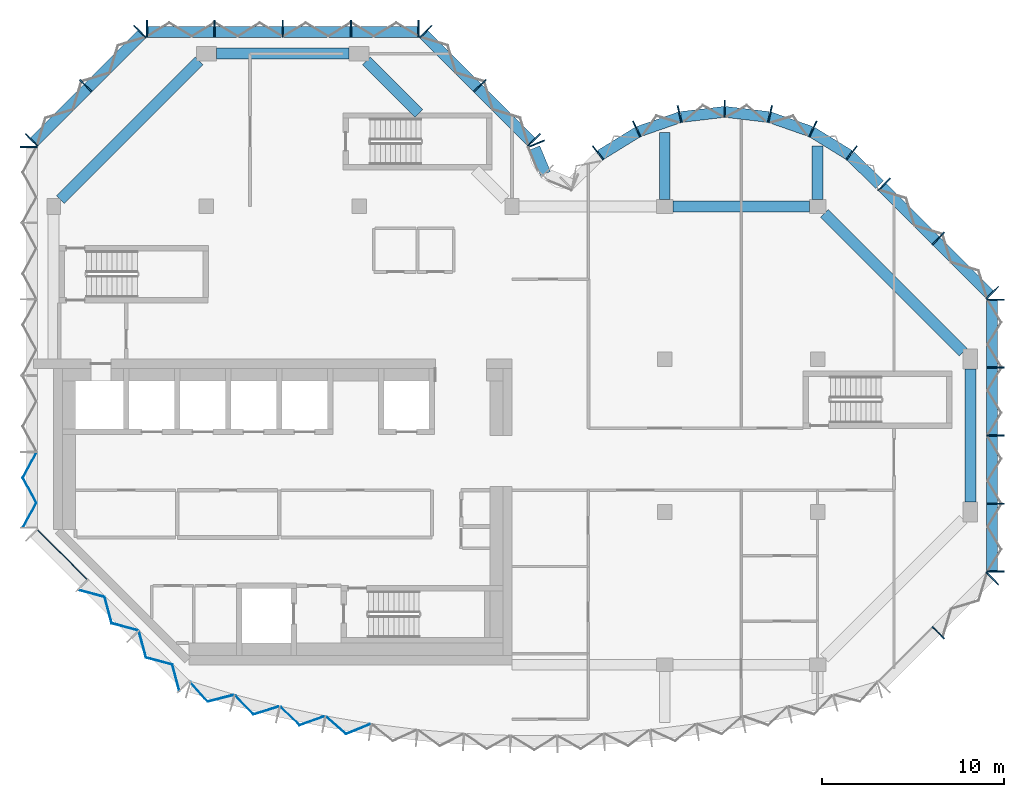
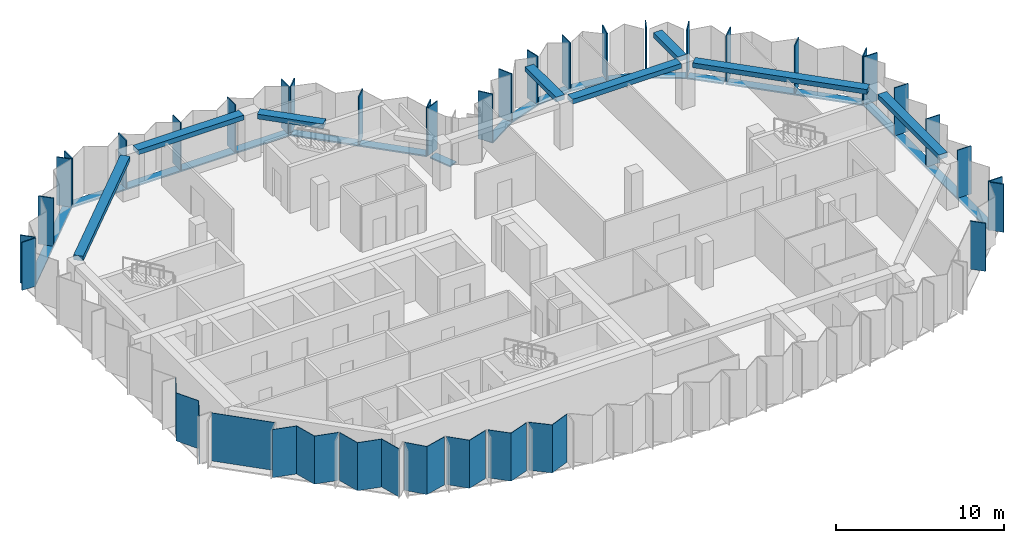
# One storey, part 2 of 9: 43 members, 8 beams, 8 plates, 11 elements without a shape of their own.
"""IFC4 building model written with IfcOpenShell, lengths in metres."""

from ifc_helpers import new_model, si_unit, direction, frame, origin, origin_2d, place, context, subcontext, project, spatial, polyline, rectangle, outline, extrude, material, layer, layer_set, material_profile, profile_set, type_object, element, aggregate, save


model = new_model("IFC4")

# Units and contexts
model_context = context("Model", 3, precision=1e-05, world=origin(), true_north=direction((0.0, 1.0)))
body_context = subcontext(model_context, "Body", "Model", "MODEL_VIEW")
ifc_project = project(units=[si_unit("LENGTHUNIT", "METRE"), si_unit("AREAUNIT", "SQUARE_METRE"), si_unit("VOLUMEUNIT", "CUBIC_METRE"), si_unit("PLANEANGLEUNIT", "RADIAN"), si_unit("MASSUNIT", "GRAM", prefix="KILO")], contexts=[model_context])

# Site, building, storey
site_placement = place(None, origin())
site = spatial("IfcSite", under=ifc_project, at=site_placement, CompositionType="ELEMENT")
building_placement = place(site_placement, origin())
building = spatial("IfcBuilding", under=site, at=building_placement, Name="Brevane Broadcast Tower", CompositionType="ELEMENT")
storey_placement = place(building_placement, frame((0.0, 0.0, 226.5)))
storey = spatial("IfcBuildingStorey", under=building, at=storey_placement, Name="L57", CompositionType="ELEMENT", Elevation=226.5)

# Curtain wall, members
ifc_material_1 = material(Name="Aluminium 6063-T6 bronze anodised", Category="aluminium")
curtain_wall_type = type_object("IfcCurtainWallType", Name="CW-1 curtain wall", PredefinedType="NOTDEFINED", material=ifc_material_1)
curtain_wall_1_placement = place(storey_placement, origin())
curtain_wall_1 = element("IfcCurtainWall", 1, at=curtain_wall_1_placement, inside=storey, type_object=curtain_wall_type, Name="CW-1 typical tilted unit L57 south-east chamfer", PredefinedType="NOTDEFINED")
ifc_material_profile_1 = material_profile(ifc_material_1, rectangle(XDim=0.949951171875, YDim=0.070068359375, at=origin_2d()), Name="RECT 70x950")
ifc_profile_set_1 = profile_set([ifc_material_profile_1], Name="Aluminium 6063-T6 bronze anodised")
member_type_1 = type_object("IfcMemberType", Name="CW-1 mullion 70x950", PredefinedType="MULLION", material=ifc_profile_set_1)
member_1_placement = place(storey_placement, frame((48.635986328125, 1.76416015625, -0.14990234375), z_axis=(0.0, 0.0, 1.0), x_axis=(-0.707106781187, 0.707106781187, 0.0)))
member_1 = element("IfcMember", 2, at=member_1_placement, type_object=member_type_1, Name="CW-1 mullion", PredefinedType="MULLION", context=body_context, shape_type="SweptSolid", body=[
    extrude(rectangle(XDim=0.949951171875, YDim=0.070068359375, at=origin_2d()), origin(), (0.0, 0.0, 1.0), 3.5),
])
member_2_placement = place(storey_placement, frame((51.611083984375, 4.7392578125, -0.14990234375), z_axis=(0.0, 0.0, 1.0), x_axis=(-0.707106781187, 0.707106781187, 0.0)))
member_2 = element("IfcMember", 3, at=member_2_placement, type_object=member_type_1, Name="CW-1 mullion", PredefinedType="MULLION", context=body_context, shape_type="SweptSolid", body=[
    extrude(rectangle(XDim=0.949951171875, YDim=0.070068359375, at=origin_2d()), origin(), (0.0, 0.0, 1.0), 3.5),
])
aggregate(curtain_wall_1, [member_1, member_2])

curtain_wall_2_placement = place(storey_placement, origin())
curtain_wall_2 = element("IfcCurtainWall", 4, at=curtain_wall_2_placement, inside=storey, type_object=curtain_wall_type, Name="CW-1 typical tilted unit L57 east end", PredefinedType="NOTDEFINED")
member_3_placement = place(storey_placement, frame((51.77490234375, 5.135009765625, -0.14990234375), z_axis=(0.0, 0.0, 1.0), x_axis=(-1.0, 0.0, 0.0)))
member_3 = element("IfcMember", 5, at=member_3_placement, type_object=member_type_1, Name="CW-1 mullion", PredefinedType="MULLION", context=body_context, shape_type="SweptSolid", body=[
    extrude(rectangle(XDim=0.949951171875, YDim=0.070068359375, at=origin_2d()), origin(), (0.0, 0.0, 1.0), 3.5),
])
member_4_placement = place(storey_placement, frame((51.77490234375, 8.85009765625, -0.14990234375), z_axis=(0.0, 0.0, 1.0), x_axis=(-1.0, 0.0, 0.0)))
member_4 = element("IfcMember", 6, at=member_4_placement, type_object=member_type_1, Name="CW-1 mullion", PredefinedType="MULLION", context=body_context, shape_type="SweptSolid", body=[
    extrude(rectangle(XDim=0.949951171875, YDim=0.070068359375, at=origin_2d()), origin(), (0.0, 0.0, 1.0), 3.5),
])
member_5_placement = place(storey_placement, frame((51.77490234375, 12.60009765625, -0.14990234375), z_axis=(0.0, 0.0, 1.0), x_axis=(-1.0, 0.0, 0.0)))
member_5 = element("IfcMember", 7, at=member_5_placement, type_object=member_type_1, Name="CW-1 mullion", PredefinedType="MULLION", context=body_context, shape_type="SweptSolid", body=[
    extrude(rectangle(XDim=0.949951171875, YDim=0.070068359375, at=origin_2d()), origin(), (0.0, 0.0, 1.0), 3.5),
])
member_6_placement = place(storey_placement, frame((51.77490234375, 16.35009765625, -0.14990234375), z_axis=(0.0, 0.0, 1.0), x_axis=(-1.0, 0.0, 0.0)))
member_6 = element("IfcMember", 8, at=member_6_placement, type_object=member_type_1, Name="CW-1 mullion", PredefinedType="MULLION", context=body_context, shape_type="SweptSolid", body=[
    extrude(rectangle(XDim=0.949951171875, YDim=0.070068359375, at=origin_2d()), origin(), (0.0, 0.0, 1.0), 3.5),
])
member_7_placement = place(storey_placement, frame((51.77490234375, 20.06494140625, -0.14990234375), z_axis=(0.0, 0.0, 1.0), x_axis=(-1.0, 0.0, 0.0)))
member_7 = element("IfcMember", 9, at=member_7_placement, type_object=member_type_1, Name="CW-1 mullion", PredefinedType="MULLION", context=body_context, shape_type="SweptSolid", body=[
    extrude(rectangle(XDim=0.949951171875, YDim=0.070068359375, at=origin_2d()), origin(), (0.0, 0.0, 1.0), 3.5),
])

curtain_wall_3_placement = place(storey_placement, origin())
curtain_wall_3 = element("IfcCurtainWall", 10, at=curtain_wall_3_placement, inside=storey, type_object=curtain_wall_type, Name="CW-1 typical tilted unit L57 north-east chamfer", PredefinedType="NOTDEFINED")
member_8_placement = place(storey_placement, frame((51.611083984375, 20.460693359375, -0.14990234375), z_axis=(0.0, 0.0, 1.0), x_axis=(-0.707106781187, -0.707106781187, 0.0)))
member_8 = element("IfcMember", 11, at=member_8_placement, type_object=member_type_1, Name="CW-1 mullion", PredefinedType="MULLION", context=body_context, shape_type="SweptSolid", body=[
    extrude(rectangle(XDim=0.949951171875, YDim=0.070068359375, at=origin_2d()), origin(), (0.0, 0.0, 1.0), 3.5),
])
member_9_placement = place(storey_placement, frame((48.635986328125, 23.435791015625, -0.14990234375), z_axis=(0.0, 0.0, 1.0), x_axis=(-0.707106781187, -0.707106781187, 0.0)))
member_9 = element("IfcMember", 12, at=member_9_placement, type_object=member_type_1, Name="CW-1 mullion", PredefinedType="MULLION", context=body_context, shape_type="SweptSolid", body=[
    extrude(rectangle(XDim=0.949951171875, YDim=0.070068359375, at=origin_2d()), origin(), (0.0, 0.0, 1.0), 3.5),
])
member_10_placement = place(storey_placement, frame((45.66064453125, 26.4111328125, -0.14990234375), z_axis=(0.0, 0.0, 1.0), x_axis=(-0.707106781187, -0.707106781187, 0.0)))
member_10 = element("IfcMember", 13, at=member_10_placement, type_object=member_type_1, Name="CW-1 mullion", PredefinedType="MULLION", context=body_context, shape_type="SweptSolid", body=[
    extrude(rectangle(XDim=0.949951171875, YDim=0.070068359375, at=origin_2d()), origin(), (0.0, 0.0, 1.0), 3.5),
])

curtain_wall_4_placement = place(storey_placement, origin())
curtain_wall_4 = element("IfcCurtainWall", 14, at=curtain_wall_4_placement, inside=storey, type_object=curtain_wall_type, Name="CW-1 typical tilted unit L57 east bow", PredefinedType="NOTDEFINED")
member_11_placement = place(storey_placement, frame((43.8720703125, 28.1455078125, -0.14990234375), z_axis=(0.0, 0.0, 1.0), x_axis=(-0.614769698862, -0.788706673841, 0.0)))
member_11 = element("IfcMember", 15, at=member_11_placement, type_object=member_type_1, Name="CW-1 mullion", PredefinedType="MULLION", context=body_context, shape_type="SweptSolid", body=[
    extrude(rectangle(XDim=0.949951171875, YDim=0.070068359375, at=origin_2d()), origin(), (0.0, 0.0, 1.0), 3.5),
])
member_12_placement = place(storey_placement, frame((41.746826171875, 29.4580078125, -0.14990234375), z_axis=(0.0, 0.0, 1.0), x_axis=(-0.429933580394, -0.902860518823, 0.0)))
member_12 = element("IfcMember", 16, at=member_12_placement, type_object=member_type_1, Name="CW-1 mullion", PredefinedType="MULLION", context=body_context, shape_type="SweptSolid", body=[
    extrude(rectangle(XDim=0.949951171875, YDim=0.070068359375, at=origin_2d()), origin(), (0.0, 0.0, 1.0), 3.5),
])
member_13_placement = place(storey_placement, frame((39.38818359375, 30.28076171875, -0.14990234375), z_axis=(0.0, 0.0, 1.0), x_axis=(-0.224806535479, -0.974403418306, 0.0)))
member_13 = element("IfcMember", 17, at=member_13_placement, type_object=member_type_1, Name="CW-1 mullion", PredefinedType="MULLION", context=body_context, shape_type="SweptSolid", body=[
    extrude(rectangle(XDim=0.949951171875, YDim=0.070068359375, at=origin_2d()), origin(), (0.0, 0.0, 1.0), 3.5),
])
member_14_placement = place(storey_placement, frame((36.89990234375, 30.574951171875, -0.14990234375), z_axis=(0.0, 0.0, 1.0), x_axis=(0.0, -1.0, 0.0)))
member_14 = element("IfcMember", 18, at=member_14_placement, type_object=member_type_1, Name="CW-1 mullion", PredefinedType="MULLION", context=body_context, shape_type="SweptSolid", body=[
    extrude(rectangle(XDim=0.949951171875, YDim=0.070068359375, at=origin_2d()), origin(), (0.0, 0.0, 1.0), 3.5),
])
member_15_placement = place(storey_placement, frame((34.411865234375, 30.28076171875, -0.14990234375), z_axis=(0.0, 0.0, 1.0), x_axis=(0.224806535479, -0.974403418306, 0.0)))
member_15 = element("IfcMember", 19, at=member_15_placement, type_object=member_type_1, Name="CW-1 mullion", PredefinedType="MULLION", context=body_context, shape_type="SweptSolid", body=[
    extrude(rectangle(XDim=0.949951171875, YDim=0.070068359375, at=origin_2d()), origin(), (0.0, 0.0, 1.0), 3.5),
])
member_16_placement = place(storey_placement, frame((32.05322265625, 29.4580078125, -0.14990234375), z_axis=(0.0, 0.0, 1.0), x_axis=(0.429933580394, -0.902860518823, 0.0)))
member_16 = element("IfcMember", 20, at=member_16_placement, type_object=member_type_1, Name="CW-1 mullion", PredefinedType="MULLION", context=body_context, shape_type="SweptSolid", body=[
    extrude(rectangle(XDim=0.949951171875, YDim=0.070068359375, at=origin_2d()), origin(), (0.0, 0.0, 1.0), 3.5),
])
member_17_placement = place(storey_placement, frame((29.927978515625, 28.1455078125, -0.14990234375), z_axis=(0.0, 0.0, 1.0), x_axis=(0.614769698862, -0.788706673841, 0.0)))
member_17 = element("IfcMember", 21, at=member_17_placement, type_object=member_type_1, Name="CW-1 mullion", PredefinedType="MULLION", context=body_context, shape_type="SweptSolid", body=[
    extrude(rectangle(XDim=0.949951171875, YDim=0.070068359375, at=origin_2d()), origin(), (0.0, 0.0, 1.0), 3.5),
])

# Curtain wall, member
curtain_wall_5_placement = place(storey_placement, origin())
curtain_wall_5 = element("IfcCurtainWall", 22, at=curtain_wall_5_placement, inside=storey, type_object=curtain_wall_type, Name="CW-1 typical tilted unit L57 inner corner", PredefinedType="NOTDEFINED")
member_18_placement = place(storey_placement, frame((26.55224609375, 28.6494140625, -0.14990234375), z_axis=(0.0, 0.0, 1.0), x_axis=(-0.923879532511, -0.382683432365, 0.0)))
member_18 = element("IfcMember", 23, at=member_18_placement, type_object=member_type_1, Name="CW-1 mullion", PredefinedType="MULLION", context=body_context, shape_type="SweptSolid", body=[
    extrude(rectangle(XDim=0.949951171875, YDim=0.070068359375, at=origin_2d()), origin(), (0.0, 0.0, 1.0), 3.5),
])

# Curtain wall, members
curtain_wall_6_placement = place(storey_placement, origin())
curtain_wall_6 = element("IfcCurtainWall", 24, at=curtain_wall_6_placement, inside=storey, type_object=curtain_wall_type, Name="CW-1 typical tilted unit L57 north arm north-east chamfer", PredefinedType="NOTDEFINED")
member_19_placement = place(storey_placement, frame((26.4111328125, 28.860595703125, -0.14990234375), z_axis=(0.0, 0.0, 1.0), x_axis=(-0.707106781187, -0.707106781187, 0.0)))
member_19 = element("IfcMember", 25, at=member_19_placement, type_object=member_type_1, Name="CW-1 mullion", PredefinedType="MULLION", context=body_context, shape_type="SweptSolid", body=[
    extrude(rectangle(XDim=0.949951171875, YDim=0.070068359375, at=origin_2d()), origin(), (0.0, 0.0, 1.0), 3.5),
])
member_20_placement = place(storey_placement, frame((23.435791015625, 31.8359375, -0.14990234375), z_axis=(0.0, 0.0, 1.0), x_axis=(-0.707106781187, -0.707106781187, 0.0)))
member_20 = element("IfcMember", 26, at=member_20_placement, type_object=member_type_1, Name="CW-1 mullion", PredefinedType="MULLION", context=body_context, shape_type="SweptSolid", body=[
    extrude(rectangle(XDim=0.949951171875, YDim=0.070068359375, at=origin_2d()), origin(), (0.0, 0.0, 1.0), 3.5),
])
member_21_placement = place(storey_placement, frame((20.460693359375, 34.81103515625, -0.14990234375), z_axis=(0.0, 0.0, 1.0), x_axis=(-0.707106781187, -0.707106781187, 0.0)))
member_21 = element("IfcMember", 27, at=member_21_placement, type_object=member_type_1, Name="CW-1 mullion", PredefinedType="MULLION", context=body_context, shape_type="SweptSolid", body=[
    extrude(rectangle(XDim=0.949951171875, YDim=0.070068359375, at=origin_2d()), origin(), (0.0, 0.0, 1.0), 3.5),
])

curtain_wall_7_placement = place(storey_placement, origin())
curtain_wall_7 = element("IfcCurtainWall", 28, at=curtain_wall_7_placement, inside=storey, type_object=curtain_wall_type, Name="CW-1 typical tilted unit L57 north end", PredefinedType="NOTDEFINED")
member_22_placement = place(storey_placement, frame((20.06494140625, 34.97509765625, -0.14990234375), z_axis=(0.0, 0.0, 1.0), x_axis=(0.0, -1.0, 0.0)))
member_22 = element("IfcMember", 29, at=member_22_placement, type_object=member_type_1, Name="CW-1 mullion", PredefinedType="MULLION", context=body_context, shape_type="SweptSolid", body=[
    extrude(rectangle(XDim=0.949951171875, YDim=0.070068359375, at=origin_2d()), origin(), (0.0, 0.0, 1.0), 3.5),
])
member_23_placement = place(storey_placement, frame((16.35009765625, 34.97509765625, -0.14990234375), z_axis=(0.0, 0.0, 1.0), x_axis=(0.0, -1.0, 0.0)))
member_23 = element("IfcMember", 30, at=member_23_placement, type_object=member_type_1, Name="CW-1 mullion", PredefinedType="MULLION", context=body_context, shape_type="SweptSolid", body=[
    extrude(rectangle(XDim=0.949951171875, YDim=0.070068359375, at=origin_2d()), origin(), (0.0, 0.0, 1.0), 3.5),
])
member_24_placement = place(storey_placement, frame((12.60009765625, 34.97509765625, -0.14990234375), z_axis=(0.0, 0.0, 1.0), x_axis=(0.0, -1.0, 0.0)))
member_24 = element("IfcMember", 31, at=member_24_placement, type_object=member_type_1, Name="CW-1 mullion", PredefinedType="MULLION", context=body_context, shape_type="SweptSolid", body=[
    extrude(rectangle(XDim=0.949951171875, YDim=0.070068359375, at=origin_2d()), origin(), (0.0, 0.0, 1.0), 3.5),
])
member_25_placement = place(storey_placement, frame((8.85009765625, 34.97509765625, -0.14990234375), z_axis=(0.0, 0.0, 1.0), x_axis=(0.0, -1.0, 0.0)))
member_25 = element("IfcMember", 32, at=member_25_placement, type_object=member_type_1, Name="CW-1 mullion", PredefinedType="MULLION", context=body_context, shape_type="SweptSolid", body=[
    extrude(rectangle(XDim=0.949951171875, YDim=0.070068359375, at=origin_2d()), origin(), (0.0, 0.0, 1.0), 3.5),
])
member_26_placement = place(storey_placement, frame((5.135009765625, 34.97509765625, -0.14990234375), z_axis=(0.0, 0.0, 1.0), x_axis=(0.0, -1.0, 0.0)))
member_26 = element("IfcMember", 33, at=member_26_placement, type_object=member_type_1, Name="CW-1 mullion", PredefinedType="MULLION", context=body_context, shape_type="SweptSolid", body=[
    extrude(rectangle(XDim=0.949951171875, YDim=0.070068359375, at=origin_2d()), origin(), (0.0, 0.0, 1.0), 3.5),
])

curtain_wall_8_placement = place(storey_placement, origin())
curtain_wall_8 = element("IfcCurtainWall", 34, at=curtain_wall_8_placement, inside=storey, type_object=curtain_wall_type, Name="CW-1 typical tilted unit L57 north-west chamfer", PredefinedType="NOTDEFINED")
member_27_placement = place(storey_placement, frame((4.7392578125, 34.81103515625, -0.14990234375), z_axis=(0.0, 0.0, 1.0), x_axis=(0.707106781187, -0.707106781187, 0.0)))
member_27 = element("IfcMember", 35, at=member_27_placement, type_object=member_type_1, Name="CW-1 mullion", PredefinedType="MULLION", context=body_context, shape_type="SweptSolid", body=[
    extrude(rectangle(XDim=0.949951171875, YDim=0.070068359375, at=origin_2d()), origin(), (0.0, 0.0, 1.0), 3.5),
])
member_28_placement = place(storey_placement, frame((1.76416015625, 31.8359375, -0.14990234375), z_axis=(0.0, 0.0, 1.0), x_axis=(0.707106781187, -0.707106781187, 0.0)))
member_28 = element("IfcMember", 36, at=member_28_placement, type_object=member_type_1, Name="CW-1 mullion", PredefinedType="MULLION", context=body_context, shape_type="SweptSolid", body=[
    extrude(rectangle(XDim=0.949951171875, YDim=0.070068359375, at=origin_2d()), origin(), (0.0, 0.0, 1.0), 3.5),
])
member_29_placement = place(storey_placement, frame((-1.211181640625, 28.860595703125, -0.14990234375), z_axis=(0.0, 0.0, 1.0), x_axis=(0.707106781187, -0.707106781187, 0.0)))
member_29 = element("IfcMember", 37, at=member_29_placement, type_object=member_type_1, Name="CW-1 mullion", PredefinedType="MULLION", context=body_context, shape_type="SweptSolid", body=[
    extrude(rectangle(XDim=0.949951171875, YDim=0.070068359375, at=origin_2d()), origin(), (0.0, 0.0, 1.0), 3.5),
])

# Curtain wall, member
curtain_wall_9_placement = place(storey_placement, origin())
curtain_wall_9 = element("IfcCurtainWall", 38, at=curtain_wall_9_placement, inside=storey, type_object=curtain_wall_type, Name="CW-1 typical tilted unit L57 west face", PredefinedType="NOTDEFINED")
member_30_placement = place(storey_placement, frame((-1.375, 28.465087890625, -0.14990234375), z_axis=(0.0, 0.0, 1.0), x_axis=(1.0, 0.0, 0.0)))
member_30 = element("IfcMember", 39, at=member_30_placement, type_object=member_type_1, Name="CW-1 mullion", PredefinedType="MULLION", context=body_context, shape_type="SweptSolid", body=[
    extrude(rectangle(XDim=0.949951171875, YDim=0.070068359375, at=origin_2d()), origin(), (0.0, 0.0, 1.0), 3.5),
])

# Member
ifc_material_profile_2 = material_profile(ifc_material_1, rectangle(XDim=0.60009765625, YDim=0.10009765625, at=origin_2d()), Name="RECT 100x600")
ifc_profile_set_2 = profile_set([ifc_material_profile_2], Name="Aluminium 6063-T6 bronze anodised")
member_type_2 = type_object("IfcMemberType", Name="CW-1 transom 100x600", PredefinedType="USERDEFINED", material=ifc_profile_set_2)
member_31_placement = place(storey_placement, frame((51.60009765625, 5.10009765625, -0.199951171875), z_axis=(0.0, 1.0, 0.0), x_axis=(-1.0, 0.0, 0.0)))
member_31 = element("IfcMember", 40, at=member_31_placement, type_object=member_type_2, Name="CW-1 transom", ObjectType="TRANSOM", PredefinedType="USERDEFINED", context=body_context, shape_type="SweptSolid", body=[
    extrude(rectangle(XDim=0.60009765625, YDim=0.10009765625, at=origin_2d()), origin(), (0.0, 0.0, 1.0), 15.0),
])

aggregate(curtain_wall_2, [member_3, member_4, member_5, member_6, member_7, member_31])

member_32_placement = place(storey_placement, frame((51.51220703125, 20.31201171875, -0.199951171875), z_axis=(-0.707106781187, 0.707106781187, 0.0), x_axis=(-0.707106781187, -0.707106781187, 0.0)))
member_32 = element("IfcMember", 41, at=member_32_placement, type_object=member_type_2, Name="CW-1 transom", ObjectType="TRANSOM", PredefinedType="USERDEFINED", context=body_context, shape_type="SweptSolid", body=[
    extrude(rectangle(XDim=0.60009765625, YDim=0.10009765625, at=origin_2d()), origin(), (0.0, 0.0, 1.0), 8.4853515625),
])

aggregate(curtain_wall_3, [member_8, member_9, member_10, member_32])

member_33_placement = place(storey_placement, frame((45.412841796875, 26.407958984375, -0.199951171875), z_axis=(-0.71724215871, 0.696823999134, 0.0), x_axis=(-0.696823999134, -0.71724215871, 0.0)))
member_33 = element("IfcMember", 42, at=member_33_placement, type_object=member_type_2, Name="CW-1 transom", ObjectType="TRANSOM", PredefinedType="USERDEFINED", context=body_context, shape_type="SweptSolid", body=[
    extrude(rectangle(XDim=0.60009765625, YDim=0.10009765625, at=origin_2d()), origin(), (0.0, 0.0, 1.0), 2.247802734375),
])

member_34_placement = place(storey_placement, frame((43.7421875, 28.023193359375, -0.199951171875), z_axis=(-0.850810063131, 0.525473345162, 0.0), x_axis=(-0.525473345162, -0.850810063131, 0.0)))
member_34 = element("IfcMember", 43, at=member_34_placement, type_object=member_type_2, Name="CW-1 transom", ObjectType="TRANSOM", PredefinedType="USERDEFINED", context=body_context, shape_type="SweptSolid", body=[
    extrude(rectangle(XDim=0.60009765625, YDim=0.10009765625, at=origin_2d()), origin(), (0.0, 0.0, 1.0), 2.39453125),
])

member_35_placement = place(storey_placement, frame((41.63623046875, 29.314208984375, -0.199951171875), z_axis=(-0.944197969542, 0.329378497041, 0.0), x_axis=(-0.329378497041, -0.944197969542, 0.0)))
member_35 = element("IfcMember", 44, at=member_35_placement, type_object=member_type_2, Name="CW-1 transom", ObjectType="TRANSOM", PredefinedType="USERDEFINED", context=body_context, shape_type="SweptSolid", body=[
    extrude(rectangle(XDim=0.60009765625, YDim=0.10009765625, at=origin_2d()), origin(), (0.0, 0.0, 1.0), 2.394775390625),
])

member_36_placement = place(storey_placement, frame((39.30029296875, 30.117431640625, -0.199951171875), z_axis=(-0.993062061831, 0.117591417, 0.0), x_axis=(-0.117591417, -0.993062061831, 0.0)))
member_36 = element("IfcMember", 45, at=member_36_placement, type_object=member_type_2, Name="CW-1 transom", ObjectType="TRANSOM", PredefinedType="USERDEFINED", context=body_context, shape_type="SweptSolid", body=[
    extrude(rectangle(XDim=0.60009765625, YDim=0.10009765625, at=origin_2d()), origin(), (0.0, 0.0, 1.0), 2.39794921875),
])

member_37_placement = place(storey_placement, frame((36.880859375, 30.3994140625, -0.199951171875), z_axis=(-0.993060653805, -0.117603307202, 0.0), x_axis=(0.117603307202, -0.993060653805, 0.0)))
member_37 = element("IfcMember", 46, at=member_37_placement, type_object=member_type_2, Name="CW-1 transom", ObjectType="TRANSOM", PredefinedType="USERDEFINED", context=body_context, shape_type="SweptSolid", body=[
    extrude(rectangle(XDim=0.60009765625, YDim=0.10009765625, at=origin_2d()), origin(), (0.0, 0.0, 1.0), 2.397705078125),
])

member_38_placement = place(storey_placement, frame((34.425048828125, 30.10302734375, -0.199951171875), z_axis=(-0.944197969542, -0.329378497041, 0.0), x_axis=(0.329378497041, -0.944197969542, 0.0)))
member_38 = element("IfcMember", 47, at=member_38_placement, type_object=member_type_2, Name="CW-1 transom", ObjectType="TRANSOM", PredefinedType="USERDEFINED", context=body_context, shape_type="SweptSolid", body=[
    extrude(rectangle(XDim=0.60009765625, YDim=0.10009765625, at=origin_2d()), origin(), (0.0, 0.0, 1.0), 2.394775390625),
])

member_39_placement = place(storey_placement, frame((32.09521484375, 29.281494140625, -0.199951171875), z_axis=(-0.850838211365, -0.525427766759, 0.0), x_axis=(0.525427766759, -0.850838211365, 0.0)))
member_39 = element("IfcMember", 48, at=member_39_placement, type_object=member_type_2, Name="CW-1 transom", ObjectType="TRANSOM", PredefinedType="USERDEFINED", context=body_context, shape_type="SweptSolid", body=[
    extrude(rectangle(XDim=0.60009765625, YDim=0.10009765625, at=origin_2d()), origin(), (0.0, 0.0, 1.0), 2.394775390625),
])

aggregate(curtain_wall_4, [member_11, member_12, member_13, member_14, member_15, member_16, member_17, member_33, member_34, member_35, member_36, member_37, member_38, member_39])

member_40_placement = place(storey_placement, frame((27.039794921875, 27.0, -0.199951171875), z_axis=(-0.382674472816, 0.923883243627, 0.0), x_axis=(-0.923883243627, -0.382674472816, 0.0)))
member_40 = element("IfcMember", 49, at=member_40_placement, type_object=member_type_2, Name="CW-1 transom", ObjectType="TRANSOM", PredefinedType="USERDEFINED", context=body_context, shape_type="SweptSolid", body=[
    extrude(rectangle(XDim=0.60009765625, YDim=0.10009765625, at=origin_2d()), origin(), (0.0, 0.0, 1.0), 1.536865234375),
])

aggregate(curtain_wall_5, [member_18, member_40])

member_41_placement = place(storey_placement, frame((26.31201171875, 28.712158203125, -0.199951171875), z_axis=(-0.707106781187, 0.707106781187, 0.0), x_axis=(-0.707106781187, -0.707106781187, 0.0)))
member_41 = element("IfcMember", 50, at=member_41_placement, type_object=member_type_2, Name="CW-1 transom", ObjectType="TRANSOM", PredefinedType="USERDEFINED", context=body_context, shape_type="SweptSolid", body=[
    extrude(rectangle(XDim=0.60009765625, YDim=0.10009765625, at=origin_2d()), origin(), (0.0, 0.0, 1.0), 8.4853515625),
])

aggregate(curtain_wall_6, [member_19, member_20, member_21, member_41])

member_42_placement = place(storey_placement, frame((20.10009765625, 34.800048828125, -0.199951171875), z_axis=(-1.0, 0.0, 0.0), x_axis=(0.0, -1.0, 0.0)))
member_42 = element("IfcMember", 51, at=member_42_placement, type_object=member_type_2, Name="CW-1 transom", ObjectType="TRANSOM", PredefinedType="USERDEFINED", context=body_context, shape_type="SweptSolid", body=[
    extrude(rectangle(XDim=0.60009765625, YDim=0.10009765625, at=origin_2d()), origin(), (0.0, 0.0, 1.0), 15.0),
])

aggregate(curtain_wall_7, [member_22, member_23, member_24, member_25, member_26, member_42])

member_43_placement = place(storey_placement, frame((4.887939453125, 34.712158203125, -0.199951171875), z_axis=(-0.707106781187, -0.707106781187, 0.0), x_axis=(0.707106781187, -0.707106781187, 0.0)))
member_43 = element("IfcMember", 52, at=member_43_placement, type_object=member_type_2, Name="CW-1 transom", ObjectType="TRANSOM", PredefinedType="USERDEFINED", context=body_context, shape_type="SweptSolid", body=[
    extrude(rectangle(XDim=0.60009765625, YDim=0.10009765625, at=origin_2d()), origin(), (0.0, 0.0, 1.0), 8.4853515625),
])

aggregate(curtain_wall_8, [member_27, member_28, member_29, member_43])

# Beams
ifc_material_2 = material(Name="Concrete C40/50", Category="concrete")
ifc_material_profile_3 = material_profile(ifc_material_2, rectangle(XDim=0.60009765625, YDim=0.35009765625, at=origin_2d()), Name="RC 600x350")
ifc_profile_set_3 = profile_set([ifc_material_profile_3], Name="Concrete C40/50")
beam_type_1 = type_object("IfcBeamType", Name="RC BRACKET BEAM 600x350 C40/50", PredefinedType="BEAM", material=ifc_profile_set_3)
beam_1_placement = place(storey_placement, frame((33.60009765625, 25.574951171875, 3.175048828125), z_axis=(0.0, 1.0, 0.0), x_axis=(-1.0, 0.0, 0.0)))
element("IfcBeam", 53, at=beam_1_placement, inside=storey, type_object=beam_type_1, Name="EB2 L57-2", PredefinedType="BEAM", context=body_context, shape_type="SweptSolid", body=[
    extrude(rectangle(XDim=0.60009765625, YDim=0.35009765625, at=origin_2d()), origin(), (0.0, 0.0, 1.0), 3.68701171875),
])
beam_2_placement = place(storey_placement, frame((42.0, 25.574951171875, 3.175048828125), z_axis=(0.0, 1.0, 0.0), x_axis=(-1.0, 0.0, 0.0)))
element("IfcBeam", 54, at=beam_2_placement, inside=storey, type_object=beam_type_1, Name="EB2 L57-4", PredefinedType="BEAM", context=body_context, shape_type="SweptSolid", body=[
    extrude(rectangle(XDim=0.60009765625, YDim=0.35009765625, at=origin_2d()), origin(), (0.0, 0.0, 1.0), 2.9365234375),
])
ifc_material_profile_4 = material_profile(ifc_material_2, rectangle(XDim=0.60009765625, YDim=0.35009765625, at=origin_2d()), Name="RC 600x350")
ifc_profile_set_4 = profile_set([ifc_material_profile_4], Name="Concrete C40/50")
beam_type_2 = type_object("IfcBeamType", Name="RC SPANDREL BEAM 600x350 C40/50", PredefinedType="SPANDREL", material=ifc_profile_set_4)
beam_3_placement = place(storey_placement, frame((50.39990234375, 8.949951171875, 3.175048828125), z_axis=(0.0, 1.0, 0.0), x_axis=(-1.0, 0.0, 0.0)))
element("IfcBeam", 55, at=beam_3_placement, inside=storey, type_object=beam_type_2, Name="EB1 L57-4", PredefinedType="SPANDREL", context=body_context, shape_type="SweptSolid", body=[
    extrude(rectangle(XDim=0.60009765625, YDim=0.35009765625, at=origin_2d()), origin(), (0.0, 0.0, 1.0), 7.300048828125),
])
beam_4_placement = place(storey_placement, frame((50.0, 17.199951171875, 3.175048828125), z_axis=(-0.707106781187, 0.707106781187, 0.0), x_axis=(-0.707106781187, -0.707106781187, 0.0)))
element("IfcBeam", 56, at=beam_4_placement, inside=storey, type_object=beam_type_2, Name="EB1 L57-5", PredefinedType="SPANDREL", context=body_context, shape_type="SweptSolid", body=[
    extrude(rectangle(XDim=0.60009765625, YDim=0.35009765625, at=origin_2d()), origin(), (0.0, 0.0, 1.0), 10.783447265625),
])
beam_5_placement = place(storey_placement, frame((41.550048828125, 25.199951171875, 3.175048828125), z_axis=(-1.0, 0.0, 0.0), x_axis=(0.0, -1.0, 0.0)))
element("IfcBeam", 57, at=beam_5_placement, inside=storey, type_object=beam_type_2, Name="EB1 L57-6", PredefinedType="SPANDREL", context=body_context, shape_type="SweptSolid", body=[
    extrude(rectangle(XDim=0.60009765625, YDim=0.35009765625, at=origin_2d()), origin(), (0.0, 0.0, 1.0), 7.5),
])
beam_6_placement = place(storey_placement, frame((20.080078125, 30.320068359375, 3.175048828125), z_axis=(-0.707136751593, 0.70707680951, 0.0), x_axis=(-0.70707680951, -0.707136751593, 0.0)))
element("IfcBeam", 58, at=beam_6_placement, inside=storey, type_object=beam_type_2, Name="EB1 L57-12", PredefinedType="SPANDREL", context=body_context, shape_type="SweptSolid", body=[
    extrude(rectangle(XDim=0.60009765625, YDim=0.35009765625, at=origin_2d()), origin(), (0.0, 0.0, 1.0), 4.072998046875),
])
beam_7_placement = place(storey_placement, frame((16.25, 33.60009765625, 3.175048828125), z_axis=(-1.0, 0.0, 0.0), x_axis=(0.0, -1.0, 0.0)))
element("IfcBeam", 59, at=beam_7_placement, inside=storey, type_object=beam_type_2, Name="EB1 L57-9", PredefinedType="SPANDREL", context=body_context, shape_type="SweptSolid", body=[
    extrude(rectangle(XDim=0.60009765625, YDim=0.35009765625, at=origin_2d()), origin(), (0.0, 0.0, 1.0), 7.300048828125),
])
beam_8_placement = place(storey_placement, frame((8.0, 33.199951171875, 3.175048828125), z_axis=(-0.707106781187, -0.707106781187, 0.0), x_axis=(0.707106781187, -0.707106781187, 0.0)))
element("IfcBeam", 60, at=beam_8_placement, inside=storey, type_object=beam_type_2, Name="EB1 L57-10", PredefinedType="SPANDREL", context=body_context, shape_type="SweptSolid", body=[
    extrude(rectangle(XDim=0.60009765625, YDim=0.35009765625, at=origin_2d()), origin(), (0.0, 0.0, 1.0), 10.783447265625),
])

# Curtain wall, plates
curtain_wall_10_placement = place(storey_placement, origin())
curtain_wall_10 = element("IfcCurtainWall", 61, at=curtain_wall_10_placement, inside=storey, type_object=curtain_wall_type, Name="CW-1 typical tilted unit L57 south bow", PredefinedType="NOTDEFINED")
ifc_material_3 = material(Name="Laminated glass bronze-tinted", Category="glass")
ifc_layer = layer(ifc_material_3, 0.0400390625)
ifc_layer_set = layer_set([ifc_layer], Name="CW tall glass panel 40")
plate_type = type_object("IfcPlateType", Name="CW tall glass panel 40", PredefinedType="CURTAIN_PANEL", material=ifc_layer_set)
plate_1_placement = place(storey_placement, frame((0.0, 0.0, -0.14990234375)))
plate_1 = element("IfcPlate", 62, at=plate_1_placement, type_object=plate_type, Name="CW-1 glass panel", PredefinedType="CURTAIN_PANEL", context=body_context, shape_type="SweptSolid", body=[
    extrude(outline(polyline([(7.525634765625, -0.935791015625), (7.51220703125, -0.980712890625), (8.46337890625, -2.044921875), (9.862548828125, -1.6884765625), (9.875, -1.64404296875), (8.47705078125, -2.000244140625), (7.525634765625, -0.935791015625)])), origin(), (0.0, 0.0, 1.0), 3.5),
])
plate_2_placement = place(storey_placement, frame((0.0, 0.0, -0.14990234375)))
plate_2 = element("IfcPlate", 63, at=plate_2_placement, type_object=plate_type, Name="CW-1 glass panel", PredefinedType="CURTAIN_PANEL", context=body_context, shape_type="SweptSolid", body=[
    extrude(outline(polyline([(10.01708984375, -1.68408203125), (10.00439453125, -1.728759765625), (10.984130859375, -2.749755859375), (12.345947265625, -2.32958984375), (12.3564453125, -2.284423828125), (10.99609375, -2.7041015625), (10.01708984375, -1.68408203125)])), origin(), (0.0, 0.0, 1.0), 3.5),
])
plate_3_placement = place(storey_placement, frame((0.0, 0.0, -0.14990234375)))
plate_3 = element("IfcPlate", 64, at=plate_3_placement, type_object=plate_type, Name="CW-1 glass panel", PredefinedType="CURTAIN_PANEL", context=body_context, shape_type="SweptSolid", body=[
    extrude(outline(polyline([(12.5, -2.318603515625), (12.489501953125, -2.36376953125), (13.513427734375, -3.343505859375), (14.85400390625, -2.866455078125), (14.862548828125, -2.82080078125), (13.523193359375, -3.29736328125), (12.5, -2.318603515625)])), origin(), (0.0, 0.0, 1.0), 3.5),
])
plate_4_placement = place(storey_placement, frame((0.0, 0.0, -0.14990234375)))
plate_4 = element("IfcPlate", 65, at=plate_4_placement, type_object=plate_type, Name="CW-1 glass panel", PredefinedType="CURTAIN_PANEL", context=body_context, shape_type="SweptSolid", body=[
    extrude(outline(polyline([(15.007568359375, -2.8486328125), (14.998779296875, -2.894287109375), (16.065185546875, -3.830810546875), (17.382080078125, -3.298095703125), (17.388916015625, -3.252197265625), (16.072998046875, -3.78466796875), (15.007568359375, -2.8486328125)])), origin(), (0.0, 0.0, 1.0), 3.5),
])
aggregate(curtain_wall_10, [plate_1, plate_2, plate_3, plate_4])

# Plate
plate_5_placement = place(storey_placement, frame((0.0, 0.0, -0.14990234375)))
plate_5 = element("IfcPlate", 66, at=plate_5_placement, type_object=plate_type, Name="CW-1 glass panel", PredefinedType="CURTAIN_PANEL", context=body_context, shape_type="SweptSolid", body=[
    extrude(outline(polyline([(-0.92724609375, 11.6650390625), (-0.97265625, 11.6650390625), (-1.717041015625, 10.288330078125), (-0.97265625, 8.91162109375), (-1.717041015625, 7.534912109375), (-1.671630859375, 7.534912109375), (-0.92724609375, 8.91162109375), (-1.671630859375, 10.288330078125), (-0.92724609375, 11.6650390625)])), origin(), (0.0, 0.0, 1.0), 3.5),
])

aggregate(curtain_wall_9, [member_30, plate_5])

# Curtain wall, plates
curtain_wall_11_placement = place(storey_placement, origin())
curtain_wall_11 = element("IfcCurtainWall", 67, at=curtain_wall_11_placement, inside=storey, type_object=curtain_wall_type, Name="CW-1 typical tilted unit L57 south-west chamfer", PredefinedType="NOTDEFINED")
plate_6_placement = place(storey_placement, frame((0.0, 0.0, -0.14990234375)))
plate_6 = element("IfcPlate", 68, at=plate_6_placement, type_object=plate_type, Name="CW-1 glass panel", PredefinedType="CURTAIN_PANEL", context=body_context, shape_type="SweptSolid", body=[
    extrude(outline(polyline([(-0.896484375, 7.4541015625), (1.85400390625, 4.70361328125), (1.82568359375, 4.67529296875), (-0.9248046875, 7.42578125), (-0.896484375, 7.4541015625)])), origin(), (0.0, 0.0, 1.0), 3.5),
])
plate_7_placement = place(storey_placement, frame((0.0, 0.0, -0.14990234375)))
plate_7 = element("IfcPlate", 69, at=plate_7_placement, type_object=plate_type, Name="CW-1 glass panel", PredefinedType="CURTAIN_PANEL", context=body_context, shape_type="SweptSolid", body=[
    extrude(outline(polyline([(1.37939453125, 4.1298828125), (1.3466796875, 4.09716796875), (2.789794921875, 3.706787109375), (3.180419921875, 2.263671875), (4.62353515625, 1.873046875), (4.65625, 1.90576171875), (3.212890625, 2.296142578125), (2.822509765625, 3.739501953125), (1.37939453125, 4.1298828125)])), origin(), (0.0, 0.0, 1.0), 3.5),
])
plate_8_placement = place(storey_placement, frame((0.0, 0.0, -0.14990234375)))
plate_8 = element("IfcPlate", 70, at=plate_8_placement, type_object=plate_type, Name="CW-1 glass panel", PredefinedType="CURTAIN_PANEL", context=body_context, shape_type="SweptSolid", body=[
    extrude(outline(polyline([(4.705810546875, 1.856201171875), (4.673095703125, 1.823486328125), (5.063720703125, 0.38037109375), (6.5068359375, -0.010009765625), (6.897216796875, -1.453369140625), (6.9296875, -1.420654296875), (6.539306640625, 0.0224609375), (5.09619140625, 0.4130859375), (4.705810546875, 1.856201171875)])), origin(), (0.0, 0.0, 1.0), 3.5),
])
aggregate(curtain_wall_11, [plate_6, plate_7, plate_8])

save(model, "model.ifc")
